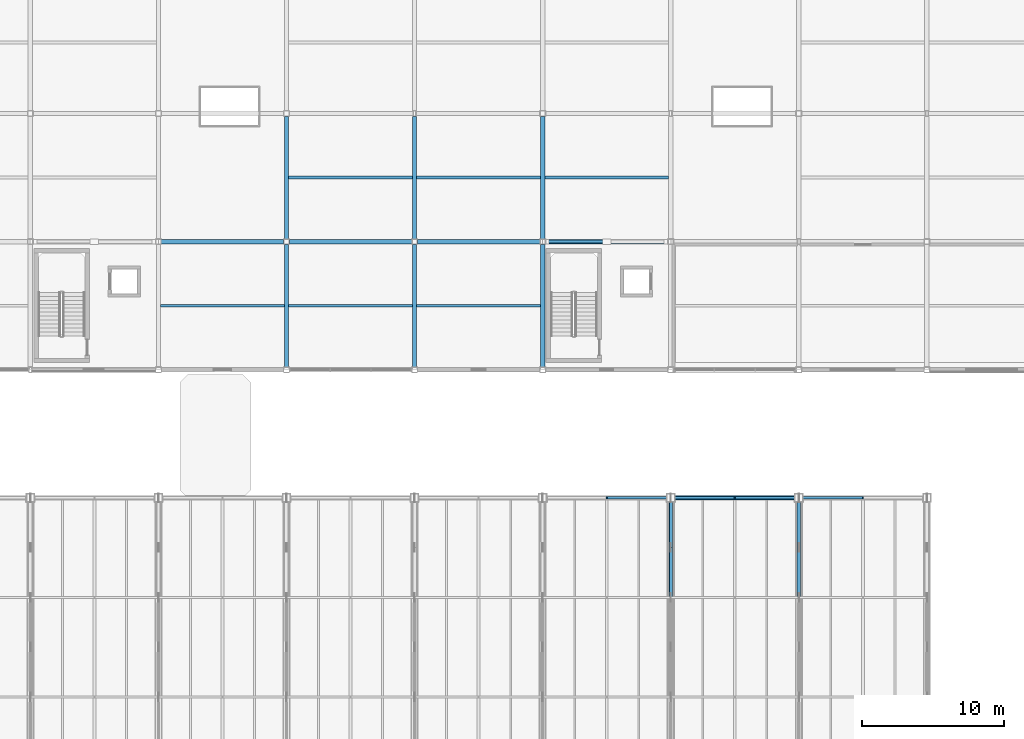
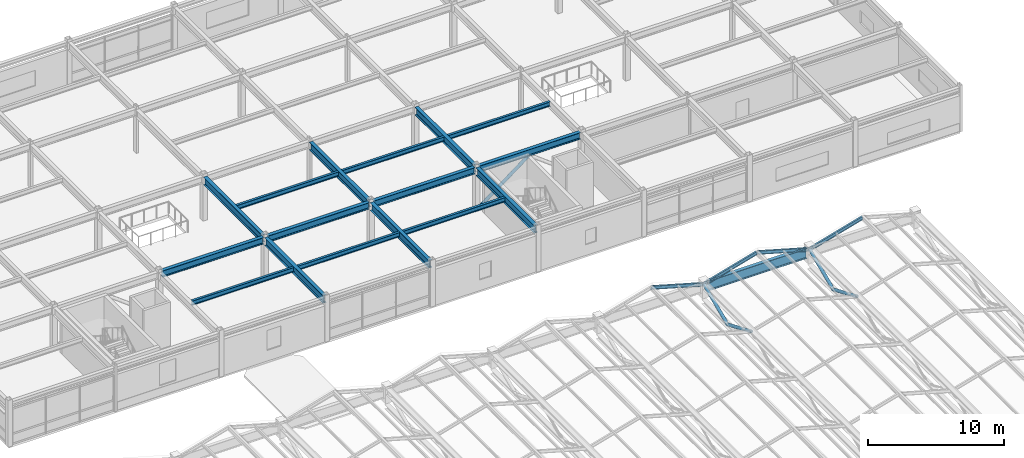
# One storey, part 46 of 108: 17 beams, 9 members.
"""IFC4 building model written with IfcOpenShell, lengths in metres."""

import ifcopenshell
import ifcopenshell.guid

model = None  # the IFC model being written
_history = None  # IfcOwnerHistory: only IFC2X3 demands one
_inside = {}  # id of a spatial element -> (the spatial element, [elements in it])
_under = {}  # id of a project, library or spatial element -> (it, [spatial elements below it])
_declared = {}  # id of a project -> (the project, [libraries it declares])
_typed = {}  # id of a type object -> (the type object, [elements of that type])
_made_of = {}  # id of a material, layer set ... -> (it, [elements and type objects made of it])


def new_model(schema):
    """Start an empty IFC model of exactly this schema.

    Asked for "IFC4X3", IfcOpenShell would pick the latest addendum, in which some entities
    have other attributes; the version numbers below select the first issue.
    IFC2X3 requires an IfcOwnerHistory on every rooted entity: one is made here for all.
    """
    global model, _history
    if schema == "IFC4X3":
        model = ifcopenshell.file(schema_version=(4, 3, 0, 0))
    else:
        model = ifcopenshell.file(schema=schema)
    _inside.clear()
    _under.clear()
    _declared.clear()
    _typed.clear()
    _made_of.clear()
    _history = None
    if model.schema == "IFC2X3":
        org = make("IfcOrganization", Name="unknown")
        user = make(
            "IfcPersonAndOrganization",
            ThePerson=make("IfcPerson", FamilyName="unknown"),
            TheOrganization=org,
        )
        app = make(
            "IfcApplication",
            ApplicationDeveloper=org,
            Version="unknown",
            ApplicationFullName="unknown",
            ApplicationIdentifier="unknown",
        )
        _history = make(
            "IfcOwnerHistory",
            OwningUser=user,
            OwningApplication=app,
            ChangeAction="ADDED",
            CreationDate=0,
        )
    return model


def make(cls, **values):
    """One entity of the class cls with the attributes given. An attribute that is None is left unset."""
    return model.create_entity(
        cls, **{name: value for name, value in values.items() if value is not None}
    )


def rooted(cls, **values):
    """An entity with a GlobalId (a new one), such as an element, a storey or a relation."""
    return make(cls, GlobalId=ifcopenshell.guid.new(), OwnerHistory=_history, **values)


def si_unit(unit_type, name, prefix=None):
    """IfcSIUnit, for example si_unit("LENGTHUNIT", "METRE", prefix="MILLI")."""
    return make("IfcSIUnit", UnitType=unit_type, Prefix=prefix, Name=name)


def assignment(units):
    """IfcUnitAssignment: the units of a project."""
    return None if units is None else make("IfcUnitAssignment", Units=units)


def point(xyz):
    """IfcCartesianPoint."""
    return None if xyz is None else make("IfcCartesianPoint", Coordinates=xyz)


def direction(xyz):
    """IfcDirection."""
    return None if xyz is None else make("IfcDirection", DirectionRatios=xyz)


def frame(location, z_axis=None, x_axis=None):
    """IfcAxis2Placement3D, a coordinate frame: its origin and axes. An axis left out is left unset."""
    return make(
        "IfcAxis2Placement3D",
        Location=point(location),
        Axis=direction(z_axis),
        RefDirection=direction(x_axis),
    )


def frame_2d(location, x_axis=None):
    """IfcAxis2Placement2D, a coordinate frame in the plane: its origin and x axis."""
    return make(
        "IfcAxis2Placement2D", Location=point(location), RefDirection=direction(x_axis)
    )


def origin():
    """The frame at (0, 0, 0) with its axes left unset."""
    return frame((0.0, 0.0, 0.0))


def origin_2d():
    """The frame at (0, 0) in the plane with its x axis left unset."""
    return frame_2d((0.0, 0.0))


def place(relative_to, where):
    """IfcLocalPlacement: puts the frame where relative to a parent placement (None: the world)."""
    return make(
        "IfcLocalPlacement", PlacementRelTo=relative_to, RelativePlacement=where
    )


def context(
    kind, dimensions, precision=None, world=None, true_north=None, identifier=None
):
    """IfcGeometricRepresentationContext, for example the 3D "Model" context."""
    return make(
        "IfcGeometricRepresentationContext",
        ContextIdentifier=identifier,
        ContextType=kind,
        CoordinateSpaceDimension=dimensions,
        Precision=precision,
        WorldCoordinateSystem=world,
        TrueNorth=true_north,
    )


def subcontext(parent, identifier, kind, view, scale=None):
    """IfcGeometricRepresentationSubContext, for example "Body" below "Model"."""
    return make(
        "IfcGeometricRepresentationSubContext",
        ContextIdentifier=identifier,
        ContextType=kind,
        ParentContext=parent,
        TargetScale=scale,
        TargetView=view,
    )


def project(units=None, contexts=None):
    """IfcProject with its units and contexts."""
    return rooted(
        "IfcProject",
        Name="project",
        RepresentationContexts=contexts,
        UnitsInContext=assignment(units),
    )


def spatial(cls, under=None, at=None, **own):
    """A site, building, storey or space (cls), placed at a placement, below another one or the project."""
    s = rooted(cls, ObjectPlacement=at, **own)
    if under is not None:
        _under.setdefault(under.id(), (under, []))[1].append(s)
    return s


def profile(cls, at=None, kind="AREA", **sizes):
    """A parametric profile (cls). Its sizes go by their IFC names, for example OverallWidth=200.0."""
    return make(cls, ProfileType=kind, Position=at, **sizes)


def hollow_circle(**sizes):
    """IfcCircleHollowProfileDef."""
    return profile("IfcCircleHollowProfileDef", **sizes)


def i_section(**sizes):
    """IfcIShapeProfileDef."""
    return profile("IfcIShapeProfileDef", **sizes)


def extrude(swept, where, along, depth):
    """IfcExtrudedAreaSolid: the profile swept, set in the frame where, extruded along a direction by depth."""
    return make(
        "IfcExtrudedAreaSolid",
        SweptArea=swept,
        Position=where,
        ExtrudedDirection=direction(along),
        Depth=depth,
    )


def shape(context_of_items, identifier, shape_type, items):
    """IfcShapeRepresentation: the items that make up one representation, for example the "Body"."""
    return make(
        "IfcShapeRepresentation",
        ContextOfItems=context_of_items,
        RepresentationIdentifier=identifier,
        RepresentationType=shape_type,
        Items=items,
    )


def material(Name=None, Category=None):
    """IfcMaterial."""
    return make("IfcMaterial", Name=Name, Category=Category)


def material_profile(
    of_material, cross_section, Name=None, Category=None, Priority=None
):
    """IfcMaterialProfile: a cross section and its material."""
    return make(
        "IfcMaterialProfile",
        Name=Name,
        Material=of_material,
        Profile=cross_section,
        Priority=Priority,
        Category=Category,
    )


def profile_set(profiles, Name=None, composite=None):
    """IfcMaterialProfileSet."""
    return make(
        "IfcMaterialProfileSet",
        Name=Name,
        MaterialProfiles=profiles,
        CompositeProfile=composite,
    )


def made_of(thing, what):
    """Note that an element or type object is made of a material, layer set ...; save() writes the relation."""
    if what is not None:
        _made_of.setdefault(what.id(), (what, []))[1].append(thing)
    return thing


def type_object(cls, material=None, **own):
    """A type object (cls), such as IfcWallType, which elements share."""
    return made_of(rooted(cls, **own), material)


def element(
    cls,
    number,
    at=None,
    inside=None,
    cuts=None,
    type_object=None,
    material=None,
    context=None,
    identifier="Body",
    shape_type=None,
    held_by="IfcProductDefinitionShape",
    body=None,
    shapes=None,
    **own,
):
    """One element of the class cls, such as IfcWall. Its Tag is "e" and its number.

    at: its placement. inside: the storey or other place that contains it. cuts: it is an
    opening in that element (IfcRelVoidsElement). A single representation is given by context,
    identifier, shape_type and body (its items); several are given by shapes. held_by: the class
    of the entity that holds the representations. save() writes the other relations.
    """
    e = rooted(cls, Tag="e%d" % number, ObjectPlacement=at, **own)
    if body is not None:
        shapes = [shape(context, identifier, shape_type, body)]
    if shapes is not None:
        e.Representation = make(held_by, Representations=shapes)
    if inside is not None:
        _inside.setdefault(inside.id(), (inside, []))[1].append(e)
    if cuts is not None:
        rooted(
            "IfcRelVoidsElement", RelatingBuildingElement=cuts, RelatedOpeningElement=e
        )
    if type_object is not None:
        _typed.setdefault(type_object.id(), (type_object, []))[1].append(e)
    return made_of(e, material)


def aggregate(whole, parts):
    """IfcRelAggregates: a whole, such as a stair, and the parts it consists of."""
    return rooted("IfcRelAggregates", RelatingObject=whole, RelatedObjects=parts)


def save(model, path):
    """Write the relations noted so far, then the file.

    IfcRelAggregates (storeys below a building ...), IfcRelContainedInSpatialStructure (elements
    in a storey), IfcRelDefinesByType, IfcRelAssociatesMaterial and IfcRelDeclares: one each for
    every whole, place, type object, material and project.
    """
    for whole, parts in _under.values():
        aggregate(whole, parts)
    for where, things in _inside.values():
        rooted(
            "IfcRelContainedInSpatialStructure",
            RelatedElements=things,
            RelatingStructure=where,
        )
    for kind, things in _typed.values():
        rooted("IfcRelDefinesByType", RelatedObjects=things, RelatingType=kind)
    for what, things in _made_of.values():
        rooted("IfcRelAssociatesMaterial", RelatedObjects=things, RelatingMaterial=what)
    for by, libraries in _declared.values():
        rooted("IfcRelDeclares", RelatingContext=by, RelatedDefinitions=libraries)
    model.write(path)


model = new_model("IFC4")

# Units and contexts
model_context = context("Model", 3, precision=1e-05, world=origin(), true_north=direction((0.0, 1.0)))
body_context = subcontext(model_context, "Body", "Model", "MODEL_VIEW")
ifc_project = project(units=[si_unit("LENGTHUNIT", "METRE"), si_unit("AREAUNIT", "SQUARE_METRE"), si_unit("VOLUMEUNIT", "CUBIC_METRE"), si_unit("PLANEANGLEUNIT", "RADIAN"), si_unit("MASSUNIT", "GRAM", prefix="KILO")], contexts=[model_context])

# Site, building, storey
site_placement = place(None, origin())
site = spatial("IfcSite", under=ifc_project, at=site_placement, CompositionType="ELEMENT")
building_placement = place(site_placement, origin())
building = spatial("IfcBuilding", under=site, at=building_placement, Name="Suzunagisa Mobility Hub", CompositionType="ELEMENT")
storey_placement = place(building_placement, frame((0.0, 0.0, 9.300048828125)))
storey = spatial("IfcBuildingStorey", under=building, at=storey_placement, Name="L02", CompositionType="ELEMENT", Elevation=9.300048828125)

# Members
ifc_material_1 = material(Name="Steel SN490B", Category="steel")
ifc_material_profile_1 = material_profile(ifc_material_1, hollow_circle(Radius=0.1337890625, WallThickness=0.00927734375, at=origin_2d()), Name="CHS-267.4x9.3")
ifc_profile_set_1 = profile_set([ifc_material_profile_1], Name="Steel SN490B")
member_type_1 = type_object("IfcMemberType", Name="Roof Truss and Brace Member MB-02 CHS-267.4x9.3", PredefinedType="STRUT", material=ifc_profile_set_1)
for number, where, z_axis, x_axis, name in (
    (1, (99.0, 64.0, 1.0537109375), (0.0, 0.919145030018, -0.393919298579), (-1.0, 0.0, 0.0), "Secondary Sub-Truss Web 69"),
    (2, (99.0, 67.5, -0.4462890625), (0.0, 0.919145030018, 0.393919298579), (-1.0, 0.0, 0.0), "Secondary Sub-Truss Web 70"),
    (3, (108.0, 64.0, 1.0537109375), (0.0, 0.919145030018, -0.393919298579), (-1.0, 0.0, 0.0), "Secondary Sub-Truss Web 79"),
    (4, (108.0, 67.5, -0.4462890625), (0.0, 0.919145030018, 0.393919298579), (-1.0, 0.0, 0.0), "Secondary Sub-Truss Web 80"),
):
    element("IfcMember", number, at=place(storey_placement, frame(where, z_axis=z_axis, x_axis=x_axis)), inside=storey, type_object=member_type_1, Name=name, PredefinedType="STRUT", context=body_context, shape_type="SweptSolid", body=[
        extrude(hollow_circle(Radius=0.1337890625, WallThickness=0.00927734375, at=origin_2d()), origin(), (0.0, 0.0, 1.0), 3.807861328125),
    ])
ifc_material_profile_2 = material_profile(ifc_material_1, hollow_circle(Radius=0.1337890625, WallThickness=0.00927734375, at=origin_2d()), Name="CHS-267.4x9.3")
ifc_profile_set_2 = profile_set([ifc_material_profile_2], Name="Steel SN490B")
member_type_2 = type_object("IfcMemberType", Name="Roof Truss and Brace Member MB-06 CHS-267.4x9.3", PredefinedType="BRACE", material=ifc_profile_set_2)
member_placement = place(storey_placement, frame((90.219970703125, 89.0, 0.119873046875), z_axis=(0.798384949274, 0.0, 0.602147384593), x_axis=(0.0, 1.0, 0.0)))
element("IfcMember", 5, at=member_placement, inside=storey, type_object=member_type_2, Name="L02 Concentric Lateral Brace BR-43", PredefinedType="BRACE", context=body_context, shape_type="SweptSolid", body=[
    extrude(hollow_circle(Radius=0.1337890625, WallThickness=0.00927734375, at=origin_2d()), origin(), (0.0, 0.0, 1.0), 5.36083984375),
])
ifc_material_2 = material(Name="Steel SN400B", Category="steel")
ifc_material_profile_3 = material_profile(ifc_material_2, i_section(OverallWidth=0.14990234375, OverallDepth=0.300048828125, WebThickness=0.006591796875, FlangeThickness=0.009033203125, FilletRadius=0.008056640625, at=origin_2d()), Name="H-300x150x6.5x9")
ifc_profile_set_3 = profile_set([ifc_material_profile_3], Name="Steel SN400B")
member_type_3 = type_object("IfcMemberType", Name="Roof Truss and Brace Member MB-08 H-300x150x6.5x9", PredefinedType="RAFTER", material=ifc_profile_set_3)
for number, where, z_axis, x_axis, name in (
    (6, (99.0, 71.0, 1.0537109375), (-0.961899182139, 0.0, 0.273404395357), (0.0, -1.0, 0.0), "Secondary Roof Sub-Rafter 178"),
    (7, (99.0, 71.0, 1.0537109375), (0.961899182139, 0.0, 0.273404395357), (0.0, 1.0, 0.0), "Secondary Roof Sub-Rafter 192"),
    (8, (108.0, 71.0, 1.0537109375), (-0.961899182139, 0.0, 0.273404395357), (0.0, -1.0, 0.0), "Secondary Roof Sub-Rafter 193"),
    (9, (108.0, 71.0, 1.0537109375), (0.961899182139, 0.0, 0.273404395357), (0.0, 1.0, 0.0), "Secondary Roof Sub-Rafter 207"),
):
    element("IfcMember", number, at=place(storey_placement, frame(where, z_axis=z_axis, x_axis=x_axis)), inside=storey, type_object=member_type_3, Name=name, PredefinedType="RAFTER", context=body_context, shape_type="SweptSolid", body=[
        extrude(i_section(OverallWidth=0.14990234375, OverallDepth=0.300048828125, WebThickness=0.006591796875, FlangeThickness=0.009033203125, FilletRadius=0.008056640625, at=origin_2d()), origin(), (0.0, 0.0, 1.0), 4.67822265625),
    ])

# Beams
ifc_material_profile_4 = material_profile(ifc_material_1, i_section(OverallWidth=0.300048828125, OverallDepth=0.89990234375, WebThickness=0.01611328125, FlangeThickness=0.028076171875, FilletRadius=0.01806640625, at=origin_2d()), Name="H-900x300x16x28")
ifc_profile_set_4 = profile_set([ifc_material_profile_4], Name="Steel SN490B")
beam_type_1 = type_object("IfcBeamType", Name="Steel Beam BM-01 H-900x300x16x28", PredefinedType="BEAM", material=ifc_profile_set_4)
beam_placement = place(storey_placement, frame((99.300048828125, 71.0, 0.863037109375), z_axis=(1.0, 0.0, 0.0), x_axis=(0.0, 1.0, 0.0)))
element("IfcBeam", 10, at=beam_placement, inside=storey, type_object=beam_type_1, Name="L02 Concourse Eave Girder EG-2226", PredefinedType="BEAM", context=body_context, shape_type="SweptSolid", body=[
    extrude(i_section(OverallWidth=0.300048828125, OverallDepth=0.89990234375, WebThickness=0.01611328125, FlangeThickness=0.028076171875, FilletRadius=0.01806640625, at=origin_2d()), origin(), (0.0, 0.0, 1.0), 8.39990234375),
])
ifc_material_profile_5 = material_profile(ifc_material_1, i_section(OverallWidth=0.300048828125, OverallDepth=0.699951171875, WebThickness=0.012939453125, FlangeThickness=0.02392578125, FilletRadius=0.01806640625, at=origin_2d()), Name="H-700x300x13x24")
ifc_profile_set_5 = profile_set([ifc_material_profile_5], Name="Steel SN490B")
beam_type_2 = type_object("IfcBeamType", Name="Steel Beam BM-11 H-700x300x13x24", PredefinedType="BEAM", material=ifc_profile_set_5)
for number, where, z_axis, x_axis, name in (
    (11, (72.0, 80.196044921875, 3.599853515625), (0.0, 1.0, 0.0), (-1.0, 0.0, 0.0), "L02 Primary Girder GY-971"),
    (12, (72.0, 89.196044921875, 3.599853515625), (0.0, 1.0, 0.0), (-1.0, 0.0, 0.0), "L02 Primary Girder GY-972"),
    (13, (81.0, 80.196044921875, 3.599853515625), (0.0, 1.0, 0.0), (-1.0, 0.0, 0.0), "L02 Primary Girder GY-975"),
    (14, (81.0, 89.196044921875, 3.599853515625), (0.0, 1.0, 0.0), (-1.0, 0.0, 0.0), "L02 Primary Girder GY-976"),
    (15, (90.0, 80.196044921875, 3.599853515625), (0.0, 1.0, 0.0), (-1.0, 0.0, 0.0), "L02 Primary Girder GY-979"),
    (16, (90.0, 89.196044921875, 3.599853515625), (0.0, 1.0, 0.0), (-1.0, 0.0, 0.0), "L02 Primary Girder GY-980"),
):
    element("IfcBeam", number, at=place(storey_placement, frame(where, z_axis=z_axis, x_axis=x_axis)), inside=storey, type_object=beam_type_2, Name=name, PredefinedType="BEAM", context=body_context, shape_type="SweptSolid", body=[
        extrude(i_section(OverallWidth=0.300048828125, OverallDepth=0.699951171875, WebThickness=0.012939453125, FlangeThickness=0.02392578125, FilletRadius=0.01806640625, at=origin_2d()), origin(), (0.0, 0.0, 1.0), 8.60791015625),
    ])
ifc_material_profile_6 = material_profile(ifc_material_2, i_section(OverallWidth=0.199951171875, OverallDepth=0.39990234375, WebThickness=0.008056640625, FlangeThickness=0.012939453125, FilletRadius=0.012939453125, at=origin_2d()), Name="H-400x200x8x13")
ifc_profile_set_6 = profile_set([ifc_material_profile_6], Name="Steel SN400B")
beam_type_3 = type_object("IfcBeamType", Name="Steel Beam BM-14 H-400x200x8x13", PredefinedType="JOIST", material=ifc_profile_set_6)
for number, where, z_axis, x_axis, name in (
    (17, (63.14990234375, 84.5, 3.75), (1.0, 0.0, 0.0), (0.0, 1.0, 0.0), "L02 Composite Floor Joist J-1006"),
    (18, (72.14990234375, 84.5, 3.75), (1.0, 0.0, 0.0), (0.0, 1.0, 0.0), "L02 Composite Floor Joist J-1008"),
    (19, (72.14990234375, 93.5, 3.75), (1.0, 0.0, 0.0), (0.0, 1.0, 0.0), "L02 Composite Floor Joist J-1009"),
    (20, (81.14990234375, 84.5, 3.75), (1.0, 0.0, 0.0), (0.0, 1.0, 0.0), "L02 Composite Floor Joist J-1012"),
    (21, (81.14990234375, 93.5, 3.75), (1.0, 0.0, 0.0), (0.0, 1.0, 0.0), "L02 Composite Floor Joist J-1013"),
    (22, (90.14990234375, 93.5, 3.75), (1.0, 0.0, 0.0), (0.0, 1.0, 0.0), "L02 Composite Floor Joist J-1016"),
):
    element("IfcBeam", number, at=place(storey_placement, frame(where, z_axis=z_axis, x_axis=x_axis)), inside=storey, type_object=beam_type_3, Name=name, PredefinedType="JOIST", context=body_context, shape_type="SweptSolid", body=[
        extrude(i_section(OverallWidth=0.199951171875, OverallDepth=0.39990234375, WebThickness=0.008056640625, FlangeThickness=0.012939453125, FilletRadius=0.012939453125, at=origin_2d()), origin(), (0.0, 0.0, 1.0), 8.7001953125),
    ])
ifc_material_profile_7 = material_profile(ifc_material_1, i_section(OverallWidth=0.300048828125, OverallDepth=0.587890625, WebThickness=0.011962890625, FlangeThickness=0.02001953125, FilletRadius=0.012939453125, at=origin_2d()), Name="H-588x300x12x20")
ifc_profile_set_7 = profile_set([ifc_material_profile_7], Name="Steel SN490B")
beam_type_4 = type_object("IfcBeamType", Name="Steel Beam BM-16 H-588x300x12x20", PredefinedType="BEAM", material=ifc_profile_set_7)
for number, where, z_axis, x_axis, name in (
    (23, (63.196044921875, 89.0, 3.656005859375), (1.0, 0.0, 0.0), (0.0, 1.0, 0.0), "L02 Primary Girder GX-926"),
    (24, (72.196044921875, 89.0, 3.656005859375), (1.0, 0.0, 0.0), (0.0, 1.0, 0.0), "L02 Primary Girder GX-927"),
    (25, (81.196044921875, 89.0, 3.656005859375), (1.0, 0.0, 0.0), (0.0, 1.0, 0.0), "L02 Primary Girder GX-928"),
    (26, (90.196044921875, 89.0, 3.656005859375), (1.0, 0.0, 0.0), (0.0, 1.0, 0.0), "L02 Primary Girder GX-929"),
):
    element("IfcBeam", number, at=place(storey_placement, frame(where, z_axis=z_axis, x_axis=x_axis)), inside=storey, type_object=beam_type_4, Name=name, PredefinedType="BEAM", context=body_context, shape_type="SweptSolid", body=[
        extrude(i_section(OverallWidth=0.300048828125, OverallDepth=0.587890625, WebThickness=0.011962890625, FlangeThickness=0.02001953125, FilletRadius=0.012939453125, at=origin_2d()), origin(), (0.0, 0.0, 1.0), 8.60791015625),
    ])

save(model, "model.ifc")
